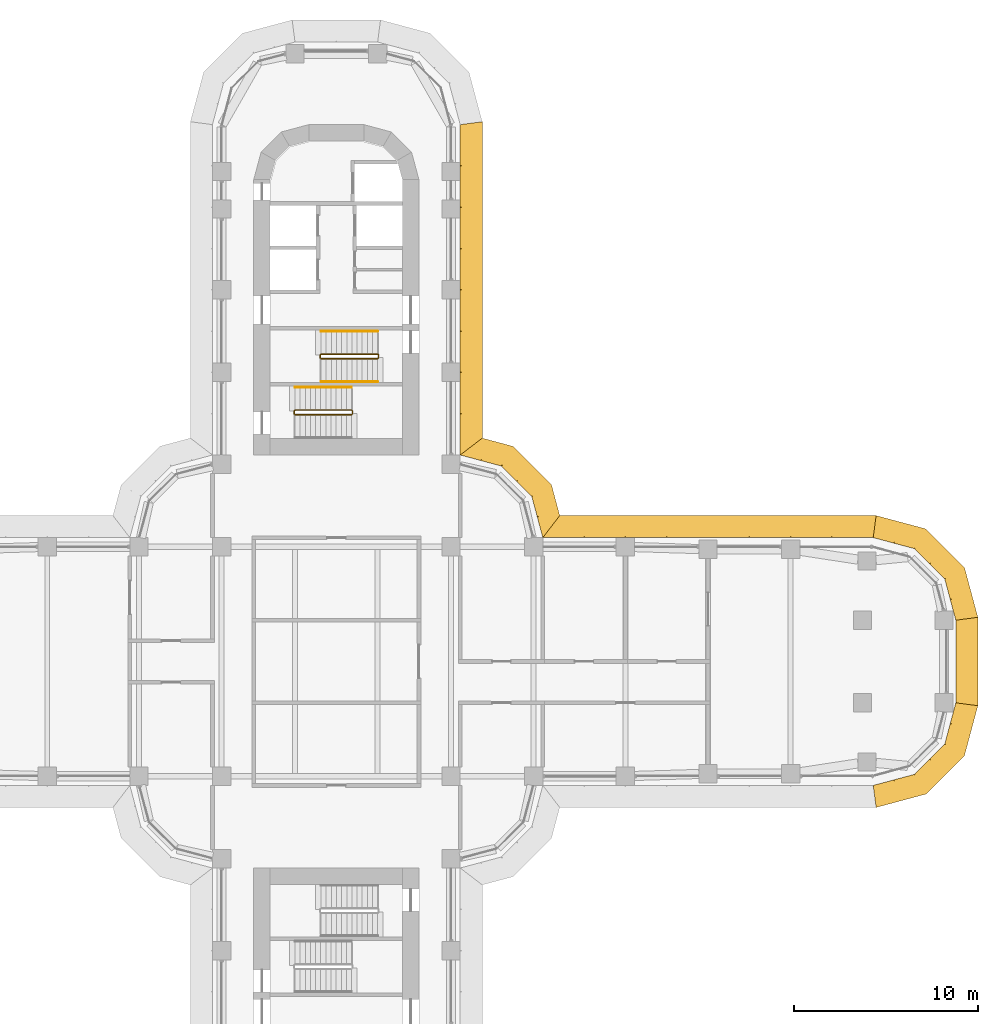
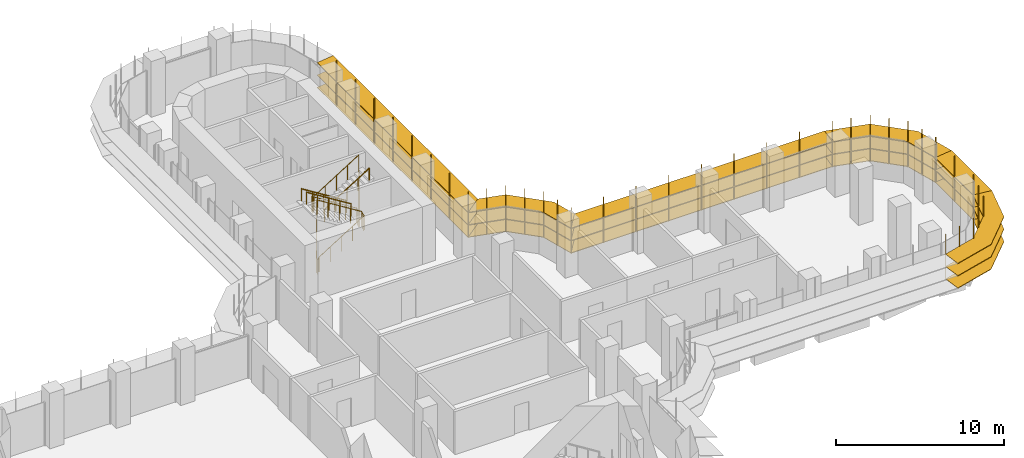
# One storey, part 22 of 23: 6 shading devices, 5 railings.
"""IFC4 building model written with IfcOpenShell, lengths in metres."""

from ifc_helpers import new_model, si_unit, direction, frame, origin, origin_2d, place, context, subcontext, project, spatial, polyline, circle, outline, extrude, faceted_brep, source, transform, mapped, material, type_object, element, save


model = new_model("IFC4")

# Units and contexts
model_context = context("Model", 3, precision=1e-05, world=origin(), true_north=direction((0.0, 1.0)))
body_context = subcontext(model_context, "Body", "Model", "MODEL_VIEW")
ifc_project = project(units=[si_unit("LENGTHUNIT", "METRE"), si_unit("AREAUNIT", "SQUARE_METRE"), si_unit("VOLUMEUNIT", "CUBIC_METRE"), si_unit("PLANEANGLEUNIT", "RADIAN"), si_unit("MASSUNIT", "GRAM", prefix="KILO")], contexts=[model_context])

# Site, building, storey
site_placement = place(None, origin())
site = spatial("IfcSite", under=ifc_project, at=site_placement, CompositionType="ELEMENT")
building_placement = place(site_placement, origin())
building = spatial("IfcBuilding", under=site, at=building_placement, Name="Zarbagh Exchange Tower", CompositionType="ELEMENT")
storey_placement = place(building_placement, frame((0.0, 0.0, 69.0)))
storey = spatial("IfcBuildingStorey", under=building, at=storey_placement, Name="L15", CompositionType="ELEMENT", Elevation=69.0)

# Railings
ifc_material_1 = material(Name="Stainless steel", Category="steel")
railing_type_1 = type_object("IfcRailingType", Name="Stair guard 1100 mm", PredefinedType="GUARDRAIL", material=ifc_material_1)
railing_1_placement = place(storey_placement, frame((-0.830078125, 16.5, 2.27490234375)))
element("IfcRailing", 1, at=railing_1_placement, inside=storey, type_object=railing_type_1, Name="ST1 stair guard 1", PredefinedType="GUARDRAIL", context=body_context, shape_type="SweptSolid", body=[
    extrude(circle(Radius=0.02392578125, at=origin_2d()), frame((0.0, 0.0, 1.076171875), z_axis=(0.847998304005, 0.0, 0.529998940003), x_axis=(0.0, 1.0, 0.0)), (0.0, 0.0, 1.0), 3.632080078125),
    extrude(circle(Radius=0.02392578125, at=origin_2d()), frame((3.080078125, 0.0, 3.0009765625), z_axis=(0.011914834358, 0.011914834358, -0.999858026644), x_axis=(-0.707106781187, 0.707106781187, 0.0)), (0.0, 0.0, 1.0), 4.200439453125),
    extrude(circle(Radius=0.02392578125, at=origin_2d()), frame((3.130126953125, 0.050048828125, -1.19873046875), z_axis=(0.0, 1.0, 0.0), x_axis=(-1.0, 0.0, 0.0)), (0.0, 0.0, 1.0), 0.14990234375),
    extrude(circle(Radius=0.02392578125, at=origin_2d()), frame((3.130126953125, 0.199951171875, -1.19873046875), z_axis=(-0.265065253269, 0.265065253269, 0.927081885822), x_axis=(-0.707106781187, -0.707106781187, 0.0)), (0.0, 0.0, 1.0), 0.188720703125),
    extrude(circle(Radius=0.02392578125, at=origin_2d()), frame((3.080078125, 0.25, -1.02392578125), z_axis=(-0.847998304005, 0.0, 0.529998940003), x_axis=(0.0, -1.0, 0.0)), (0.0, 0.0, 1.0), 3.632080078125),
    extrude(circle(Radius=0.02392578125, at=origin_2d()), frame((0.0, 0.25, 0.9013671875), z_axis=(-0.705375805398, -0.708833529934, 0.0), x_axis=(0.708833529934, -0.705375805398, 0.0)), (0.0, 0.0, 1.0), 0.070556640625),
    extrude(circle(Radius=0.02392578125, at=origin_2d()), frame((-0.0498046875, 0.199951171875, 0.9013671875), z_axis=(0.0, -1.0, 0.0), x_axis=(1.0, 0.0, 0.0)), (0.0, 0.0, 1.0), 0.14990234375),
    extrude(circle(Radius=0.02099609375, at=origin_2d()), origin(), (0.0, 0.0, 1.0), 1.052001953125),
    extrude(circle(Radius=0.02099609375, at=origin_2d()), frame((0.77001953125, 0.0, 0.481201171875)), (0.0, 0.0, 1.0), 1.052001953125),
    extrude(circle(Radius=0.02099609375, at=origin_2d()), frame((1.5400390625, 0.0, 0.96240234375)), (0.0, 0.0, 1.0), 1.052001953125),
    extrude(circle(Radius=0.02099609375, at=origin_2d()), frame((2.31005859375, 0.0, 1.44384765625)), (0.0, 0.0, 1.0), 1.052001953125),
    extrude(circle(Radius=0.02099609375, at=origin_2d()), frame((3.080078125, 0.0, 1.925048828125)), (0.0, 0.0, 1.0), 1.052001953125),
    extrude(circle(Radius=0.02099609375, at=origin_2d()), frame((3.092529296875, 0.012451171875, 0.875)), (0.0, 0.0, 1.0), 1.052001953125),
    extrude(circle(Radius=0.02099609375, at=origin_2d()), frame((3.10498046875, 0.02490234375, -0.1748046875)), (0.0, 0.0, 1.0), 1.052001953125),
    extrude(circle(Radius=0.02099609375, at=origin_2d()), frame((3.11767578125, 0.03759765625, -1.224853515625)), (0.0, 0.0, 1.0), 1.052001953125),
    extrude(circle(Radius=0.02099609375, at=origin_2d()), frame((3.130126953125, 0.050048828125, -2.27490234375)), (0.0, 0.0, 1.0), 1.052001953125),
    extrude(circle(Radius=0.02099609375, at=origin_2d()), frame((3.130126953125, 0.199951171875, -2.27490234375)), (0.0, 0.0, 1.0), 1.052001953125),
    extrude(circle(Radius=0.02099609375, at=origin_2d()), frame((3.080078125, 0.25, -2.099853515625)), (0.0, 0.0, 1.0), 1.052001953125),
    extrude(circle(Radius=0.02099609375, at=origin_2d()), frame((2.31005859375, 0.25, -1.61865234375)), (0.0, 0.0, 1.0), 1.052001953125),
    extrude(circle(Radius=0.02099609375, at=origin_2d()), frame((1.5400390625, 0.25, -1.13720703125)), (0.0, 0.0, 1.0), 1.052001953125),
    extrude(circle(Radius=0.02099609375, at=origin_2d()), frame((0.77001953125, 0.25, -0.656005859375)), (0.0, 0.0, 1.0), 1.052001953125),
    extrude(circle(Radius=0.02099609375, at=origin_2d()), frame((0.0, 0.25, -0.1748046875)), (0.0, 0.0, 1.0), 1.052001953125),
    extrude(circle(Radius=0.02099609375, at=origin_2d()), frame((-0.0498046875, 0.199951171875, -0.1748046875)), (0.0, 0.0, 1.0), 1.052001953125),
    extrude(circle(Radius=0.02099609375, at=origin_2d()), frame((-0.0498046875, 0.050048828125, -0.1748046875)), (0.0, 0.0, 1.0), 1.052001953125),
])
railing_2_placement = place(storey_placement, frame((0.8798828125, 13.5, 2.10009765625)))
element("IfcRailing", 2, at=railing_2_placement, inside=storey, type_object=railing_type_1, Name="ST2 stair guard 1", PredefinedType="GUARDRAIL", context=body_context, shape_type="SweptSolid", body=[
    extrude(circle(Radius=0.02392578125, at=origin_2d()), frame((0.0, 0.0, 1.076171875), z_axis=(0.0, 1.0, 0.0), x_axis=(-1.0, 0.0, 0.0)), (0.0, 0.0, 1.0), 0.14990234375),
    extrude(circle(Radius=0.02392578125, at=origin_2d()), frame((0.0, 0.14990234375, 1.076171875), z_axis=(-0.264179342666, 0.265474339444, 0.927217692888), x_axis=(-0.708833529934, -0.705375805398, 0.0)), (0.0, 0.0, 1.0), 0.1884765625),
    extrude(circle(Radius=0.02392578125, at=origin_2d()), frame((-0.0498046875, 0.199951171875, 1.2509765625), z_axis=(-0.847998304005, 0.0, 0.529998940003), x_axis=(0.0, -1.0, 0.0)), (0.0, 0.0, 1.0), 3.632080078125),
    extrude(circle(Radius=0.02392578125, at=origin_2d()), frame((-3.1298828125, 0.199951171875, 3.17578125), z_axis=(-0.011914834358, -0.011914834358, -0.999858026644), x_axis=(0.707106781187, -0.707106781187, 0.0)), (0.0, 0.0, 1.0), 4.200439453125),
    extrude(circle(Radius=0.02392578125, at=origin_2d()), frame((-3.179931640625, 0.14990234375, -1.02392578125), z_axis=(0.0, -1.0, 0.0), x_axis=(1.0, 0.0, 0.0)), (0.0, 0.0, 1.0), 0.14990234375),
    extrude(circle(Radius=0.02392578125, at=origin_2d()), frame((-3.179931640625, 0.0, -1.02392578125), z_axis=(0.265065253269, -0.265065253269, 0.927081885822), x_axis=(0.707106781187, 0.707106781187, 0.0)), (0.0, 0.0, 1.0), 0.188720703125),
    extrude(circle(Radius=0.02392578125, at=origin_2d()), frame((-3.1298828125, -0.050048828125, -0.84912109375), z_axis=(0.847998304005, 0.0, 0.529998940003), x_axis=(0.0, 1.0, 0.0)), (0.0, 0.0, 1.0), 3.632080078125),
    extrude(circle(Radius=0.02099609375, at=origin_2d()), origin(), (0.0, 0.0, 1.0), 1.052001953125),
    extrude(circle(Radius=0.02099609375, at=origin_2d()), frame((0.0, 0.14990234375, 0.0)), (0.0, 0.0, 1.0), 1.052001953125),
    extrude(circle(Radius=0.02099609375, at=origin_2d()), frame((-0.0498046875, 0.199951171875, 0.1748046875)), (0.0, 0.0, 1.0), 1.052001953125),
    extrude(circle(Radius=0.02099609375, at=origin_2d()), frame((-0.81982421875, 0.199951171875, 0.656005859375)), (0.0, 0.0, 1.0), 1.052001953125),
    extrude(circle(Radius=0.02099609375, at=origin_2d()), frame((-1.58984375, 0.199951171875, 1.13720703125)), (0.0, 0.0, 1.0), 1.052001953125),
    extrude(circle(Radius=0.02099609375, at=origin_2d()), frame((-2.35986328125, 0.199951171875, 1.61865234375)), (0.0, 0.0, 1.0), 1.052001953125),
    extrude(circle(Radius=0.02099609375, at=origin_2d()), frame((-3.1298828125, 0.199951171875, 2.099853515625)), (0.0, 0.0, 1.0), 1.052001953125),
    extrude(circle(Radius=0.02099609375, at=origin_2d()), frame((-3.142333984375, 0.1875, 1.0498046875)), (0.0, 0.0, 1.0), 1.052001953125),
    extrude(circle(Radius=0.02099609375, at=origin_2d()), frame((-3.15478515625, 0.1748046875, 0.0)), (0.0, 0.0, 1.0), 1.052001953125),
    extrude(circle(Radius=0.02099609375, at=origin_2d()), frame((-3.16748046875, 0.162353515625, -1.050048828125)), (0.0, 0.0, 1.0), 1.052001953125),
    extrude(circle(Radius=0.02099609375, at=origin_2d()), frame((-3.179931640625, 0.14990234375, -2.10009765625)), (0.0, 0.0, 1.0), 1.052001953125),
    extrude(circle(Radius=0.02099609375, at=origin_2d()), frame((-3.179931640625, 0.0, -2.10009765625)), (0.0, 0.0, 1.0), 1.052001953125),
    extrude(circle(Radius=0.02099609375, at=origin_2d()), frame((-3.1298828125, -0.050048828125, -1.925048828125)), (0.0, 0.0, 1.0), 1.052001953125),
    extrude(circle(Radius=0.02099609375, at=origin_2d()), frame((-2.35986328125, -0.050048828125, -1.44384765625)), (0.0, 0.0, 1.0), 1.052001953125),
    extrude(circle(Radius=0.02099609375, at=origin_2d()), frame((-1.58984375, -0.050048828125, -0.96240234375)), (0.0, 0.0, 1.0), 1.052001953125),
    extrude(circle(Radius=0.02099609375, at=origin_2d()), frame((-0.81982421875, -0.050048828125, -0.481201171875)), (0.0, 0.0, 1.0), 1.052001953125),
    extrude(circle(Radius=0.02099609375, at=origin_2d()), frame((-0.0498046875, -0.050048828125, 0.0)), (0.0, 0.0, 1.0), 1.052001953125),
])
railing_type_2 = type_object("IfcRailingType", Name="Stair handrail 900 mm", PredefinedType="HANDRAIL", material=ifc_material_1)
railing_3_placement = place(storey_placement, frame((2.25, 18.0, 0.175048828125)))
element("IfcRailing", 3, at=railing_3_placement, inside=storey, type_object=railing_type_2, Name="ST1 stair handrail 1", PredefinedType="HANDRAIL", context=body_context, shape_type="SweptSolid", body=[
    extrude(circle(Radius=0.02392578125, at=origin_2d()), frame((0.0, 0.0, 0.8759765625), z_axis=(-0.847998304005, 0.0, 0.529998940003), x_axis=(0.0, -1.0, 0.0)), (0.0, 0.0, 1.0), 3.632080078125),
    extrude(circle(Radius=0.02099609375, at=origin_2d()), origin(), (0.0, 0.0, 1.0), 0.851806640625),
    extrude(circle(Radius=0.02099609375, at=origin_2d()), frame((-0.77001953125, 0.0, 0.481201171875)), (0.0, 0.0, 1.0), 0.851806640625),
    extrude(circle(Radius=0.02099609375, at=origin_2d()), frame((-1.5400390625, 0.0, 0.96240234375)), (0.0, 0.0, 1.0), 0.851806640625),
    extrude(circle(Radius=0.02099609375, at=origin_2d()), frame((-2.31005859375, 0.0, 1.44384765625)), (0.0, 0.0, 1.0), 0.851806640625),
    extrude(circle(Radius=0.02099609375, at=origin_2d()), frame((-3.080078125, 0.0, 1.925048828125)), (0.0, 0.0, 1.0), 0.851806640625),
])
railing_4_placement = place(storey_placement, frame((-0.830078125, 15.25, 2.27490234375)))
element("IfcRailing", 4, at=railing_4_placement, inside=storey, type_object=railing_type_2, Name="ST1 stair handrail 2", PredefinedType="HANDRAIL", context=body_context, shape_type="SweptSolid", body=[
    extrude(circle(Radius=0.02392578125, at=origin_2d()), frame((0.0, 0.0, 0.8759765625), z_axis=(0.847998304005, 0.0, 0.529998940003), x_axis=(0.0, 1.0, 0.0)), (0.0, 0.0, 1.0), 3.632080078125),
    extrude(circle(Radius=0.02099609375, at=origin_2d()), origin(), (0.0, 0.0, 1.0), 0.851806640625),
    extrude(circle(Radius=0.02099609375, at=origin_2d()), frame((0.77001953125, 0.0, 0.481201171875)), (0.0, 0.0, 1.0), 0.851806640625),
    extrude(circle(Radius=0.02099609375, at=origin_2d()), frame((1.5400390625, 0.0, 0.96240234375)), (0.0, 0.0, 1.0), 0.851806640625),
    extrude(circle(Radius=0.02099609375, at=origin_2d()), frame((2.31005859375, 0.0, 1.44384765625)), (0.0, 0.0, 1.0), 0.851806640625),
    extrude(circle(Radius=0.02099609375, at=origin_2d()), frame((3.080078125, 0.0, 1.925048828125)), (0.0, 0.0, 1.0), 0.851806640625),
])
railing_5_placement = place(storey_placement, frame((0.830078125, 14.949951171875, 2.27490234375)))
element("IfcRailing", 5, at=railing_5_placement, inside=storey, type_object=railing_type_2, Name="ST2 stair handrail 2", PredefinedType="HANDRAIL", context=body_context, shape_type="SweptSolid", body=[
    extrude(circle(Radius=0.02392578125, at=origin_2d()), frame((0.0, 0.0, 0.8759765625), z_axis=(-0.847998304005, 0.0, 0.529998940003), x_axis=(0.0, -1.0, 0.0)), (0.0, 0.0, 1.0), 3.632080078125),
    extrude(circle(Radius=0.02099609375, at=origin_2d()), origin(), (0.0, 0.0, 1.0), 0.851806640625),
    extrude(circle(Radius=0.02099609375, at=origin_2d()), frame((-0.77001953125, 0.0, 0.481201171875)), (0.0, 0.0, 1.0), 0.851806640625),
    extrude(circle(Radius=0.02099609375, at=origin_2d()), frame((-1.5400390625, 0.0, 0.96240234375)), (0.0, 0.0, 1.0), 0.851806640625),
    extrude(circle(Radius=0.02099609375, at=origin_2d()), frame((-2.31005859375, 0.0, 1.44384765625)), (0.0, 0.0, 1.0), 0.851806640625),
    extrude(circle(Radius=0.02099609375, at=origin_2d()), frame((-3.080078125, 0.0, 1.925048828125)), (0.0, 0.0, 1.0), 0.851806640625),
])

# Shading devices
ifc_material_2 = material(Name="Anodised aluminium blades and brackets", Category="aluminium")
shading_device_type = type_object("IfcShadingDeviceType", Name="SUNSHADE louvre band, 0 degree blades", PredefinedType="JALOUSIE", material=ifc_material_2)
shared_shape_1 = source(origin(), body_context, "Body", "Brep", [
    faceted_brep([(0.0, 0.0, 0.0), (0.0, 0.0, -0.0400390625), (-0.157958984375, -1.199951171875, -0.0400390625), (-0.157958984375, -1.199951171875, 0.0), (2.65087890625, -1.199951171875, 0.0), (2.65087890625, -1.199951171875, -0.0400390625), (2.329345703125, 0.0, -0.0400390625), (2.329345703125, 0.0, 0.0)], [[[0, 1, 2, 3]], [[4, 5, 6, 7]], [[0, 7, 6, 1]], [[1, 6, 5, 2]], [[2, 5, 4, 3]], [[3, 4, 7, 0]]]),
])
shared_shape_2 = source(origin(), body_context, "Body", "Brep", [
    faceted_brep([(0.0, 0.0, 0.0), (0.0, 0.0, -0.0400390625), (-0.321533203125, -1.199951171875, -0.0400390625), (-0.321533203125, -1.199951171875, 0.0), (2.65087890625, -1.199951171875, 0.0), (2.65087890625, -1.199951171875, -0.0400390625), (2.329345703125, 0.0, -0.0400390625), (2.329345703125, 0.0, 0.0)], [[[0, 1, 2, 3]], [[4, 5, 6, 7]], [[0, 7, 6, 1]], [[1, 6, 5, 2]], [[2, 5, 4, 3]], [[3, 4, 7, 0]]]),
])
shared_shape_3 = source(origin(), body_context, "Body", "Brep", [
    faceted_brep([(0.0, 0.0, 0.0), (0.0, 0.0, -0.0400390625), (-0.321533203125, -1.199951171875, -0.0400390625), (-0.321533203125, -1.199951171875, 0.0), (2.4873046875, -1.199951171875, 0.0), (2.4873046875, -1.199951171875, -0.0400390625), (2.329345703125, 0.0, -0.0400390625), (2.329345703125, 0.0, 0.0)], [[[0, 1, 2, 3]], [[4, 5, 6, 7]], [[0, 7, 6, 1]], [[1, 6, 5, 2]], [[2, 5, 4, 3]], [[3, 4, 7, 0]]]),
])
shared_shape_4 = source(origin(), body_context, "Body", "SweptSolid", [
    extrude(outline(polyline([(0.0, -0.012451171875), (0.06005859375, -0.012451171875), (0.06005859375, 0.012451171875), (0.0, 0.012451171875), (0.0, -0.012451171875)])), origin(), (0.0, 0.0, 1.0), 3.35009765625),
])
placement = place(storey_placement, origin())
element("IfcShadingDevice", 6, at=placement, inside=storey, type_object=shading_device_type, Name="SS05 sunshade band", PredefinedType="JALOUSIE", context=body_context, shape_type="MappedRepresentation", body=[
    mapped(shared_shape_1, transform((29.25, -6.75, 2.699951171875), x_axis=(0.965924289636, 0.258824779902, 0.0), y_axis=(-0.258824779902, 0.965924289636, 0.0), z_axis=(0.0, 0.0, 1.0))),
    mapped(shared_shape_1, transform((29.25, -6.75, 1.800048828125), x_axis=(0.965924289636, 0.258824779902, 0.0), y_axis=(-0.258824779902, 0.965924289636, 0.0), z_axis=(0.0, 0.0, 1.0))),
    mapped(shared_shape_1, transform((29.25, -6.75, 0.89990234375), x_axis=(0.965924289636, 0.258824779902, 0.0), y_axis=(-0.258824779902, 0.965924289636, 0.0), z_axis=(0.0, 0.0, 1.0))),
    mapped(shared_shape_2, transform((31.5, -6.147216796875, 2.699951171875), x_axis=(0.707106781187, 0.707106781187, 0.0), y_axis=(-0.707106781187, 0.707106781187, 0.0), z_axis=(0.0, 0.0, 1.0))),
    mapped(shared_shape_2, transform((31.5, -6.147216796875, 1.800048828125), x_axis=(0.707106781187, 0.707106781187, 0.0), y_axis=(-0.707106781187, 0.707106781187, 0.0), z_axis=(0.0, 0.0, 1.0))),
    mapped(shared_shape_2, transform((31.5, -6.147216796875, 0.89990234375), x_axis=(0.707106781187, 0.707106781187, 0.0), y_axis=(-0.707106781187, 0.707106781187, 0.0), z_axis=(0.0, 0.0, 1.0))),
    mapped(shared_shape_3, transform((33.147216796875, -4.5, 2.699951171875), x_axis=(0.258824779902, 0.965924289636, 0.0), y_axis=(-0.965924289636, 0.258824779902, 0.0), z_axis=(0.0, 0.0, 1.0))),
    mapped(shared_shape_3, transform((33.147216796875, -4.5, 1.800048828125), x_axis=(0.258824779902, 0.965924289636, 0.0), y_axis=(-0.965924289636, 0.258824779902, 0.0), z_axis=(0.0, 0.0, 1.0))),
    mapped(shared_shape_3, transform((33.147216796875, -4.5, 0.89990234375), x_axis=(0.258824779902, 0.965924289636, 0.0), y_axis=(-0.965924289636, 0.258824779902, 0.0), z_axis=(0.0, 0.0, 1.0))),
    mapped(shared_shape_4, transform((29.25, -6.75, 0.830078125), x_axis=(0.130529263012, -0.991444457092, 0.0), y_axis=(0.991444457092, 0.130529263012, 0.0), z_axis=(0.0, 0.0, 1.0))),
    mapped(shared_shape_4, transform((30.375, -6.448486328125, 0.830078125), x_axis=(0.258825058029, -0.96592421511, 0.0), y_axis=(0.96592421511, 0.258825058029, 0.0), z_axis=(0.0, 0.0, 1.0))),
    mapped(shared_shape_4, transform((31.5, -6.147216796875, 0.830078125), x_axis=(0.50000275701, -0.866023812018, 0.0), y_axis=(0.866023812018, 0.50000275701, 0.0), z_axis=(0.0, 0.0, 1.0))),
    mapped(shared_shape_4, transform((32.323486328125, -5.323486328125, 0.830078125), x_axis=(0.707106781187, -0.707106781187, 0.0), y_axis=(0.707106781187, 0.707106781187, 0.0), z_axis=(0.0, 0.0, 1.0))),
    mapped(shared_shape_4, transform((33.147216796875, -4.5, 0.830078125), x_axis=(0.866023812018, -0.50000275701, 0.0), y_axis=(0.50000275701, 0.866023812018, 0.0), z_axis=(0.0, 0.0, 1.0))),
    mapped(shared_shape_4, transform((33.448486328125, -3.375, 0.830078125), x_axis=(0.96592421511, -0.258825058029, 0.0), y_axis=(0.258825058029, 0.96592421511, 0.0), z_axis=(0.0, 0.0, 1.0))),
])
element("IfcShadingDevice", 7, at=placement, inside=storey, type_object=shading_device_type, Name="SS07 sunshade band", PredefinedType="JALOUSIE", context=body_context, shape_type="MappedRepresentation", body=[
    mapped(shared_shape_1, transform((33.75, 2.25, 2.699951171875), x_axis=(-0.258824779902, 0.965924289636, 0.0), y_axis=(-0.965924289636, -0.258824779902, 0.0), z_axis=(0.0, 0.0, 1.0))),
    mapped(shared_shape_1, transform((33.75, 2.25, 1.800048828125), x_axis=(-0.258824779902, 0.965924289636, 0.0), y_axis=(-0.965924289636, -0.258824779902, 0.0), z_axis=(0.0, 0.0, 1.0))),
    mapped(shared_shape_1, transform((33.75, 2.25, 0.89990234375), x_axis=(-0.258824779902, 0.965924289636, 0.0), y_axis=(-0.965924289636, -0.258824779902, 0.0), z_axis=(0.0, 0.0, 1.0))),
    mapped(shared_shape_2, transform((33.147216796875, 4.5, 2.699951171875), x_axis=(-0.707106781187, 0.707106781187, 0.0), y_axis=(-0.707106781187, -0.707106781187, 0.0), z_axis=(0.0, 0.0, 1.0))),
    mapped(shared_shape_2, transform((33.147216796875, 4.5, 1.800048828125), x_axis=(-0.707106781187, 0.707106781187, 0.0), y_axis=(-0.707106781187, -0.707106781187, 0.0), z_axis=(0.0, 0.0, 1.0))),
    mapped(shared_shape_2, transform((33.147216796875, 4.5, 0.89990234375), x_axis=(-0.707106781187, 0.707106781187, 0.0), y_axis=(-0.707106781187, -0.707106781187, 0.0), z_axis=(0.0, 0.0, 1.0))),
    mapped(shared_shape_3, transform((31.5, 6.147216796875, 2.699951171875), x_axis=(-0.965924289636, 0.258824779902, 0.0), y_axis=(-0.258824779902, -0.965924289636, 0.0), z_axis=(0.0, 0.0, 1.0))),
    mapped(shared_shape_3, transform((31.5, 6.147216796875, 1.800048828125), x_axis=(-0.965924289636, 0.258824779902, 0.0), y_axis=(-0.258824779902, -0.965924289636, 0.0), z_axis=(0.0, 0.0, 1.0))),
    mapped(shared_shape_3, transform((31.5, 6.147216796875, 0.89990234375), x_axis=(-0.965924289636, 0.258824779902, 0.0), y_axis=(-0.258824779902, -0.965924289636, 0.0), z_axis=(0.0, 0.0, 1.0))),
    mapped(shared_shape_4, transform((33.75, 2.25, 0.830078125), x_axis=(0.991444457092, 0.130529263012, 0.0), y_axis=(-0.130529263012, 0.991444457092, 0.0), z_axis=(0.0, 0.0, 1.0))),
    mapped(shared_shape_4, transform((33.448486328125, 3.375, 0.830078125), x_axis=(0.96592421511, 0.258825058029, 0.0), y_axis=(-0.258825058029, 0.96592421511, 0.0), z_axis=(0.0, 0.0, 1.0))),
    mapped(shared_shape_4, transform((33.147216796875, 4.5, 0.830078125), x_axis=(0.866023812018, 0.50000275701, 0.0), y_axis=(-0.50000275701, 0.866023812018, 0.0), z_axis=(0.0, 0.0, 1.0))),
    mapped(shared_shape_4, transform((32.323486328125, 5.323486328125, 0.830078125), x_axis=(0.707106781187, 0.707106781187, 0.0), y_axis=(-0.707106781187, 0.707106781187, 0.0), z_axis=(0.0, 0.0, 1.0))),
    mapped(shared_shape_4, transform((31.5, 6.147216796875, 0.830078125), x_axis=(0.50000275701, 0.866023812018, 0.0), y_axis=(-0.866023812018, 0.50000275701, 0.0), z_axis=(0.0, 0.0, 1.0))),
    mapped(shared_shape_4, transform((30.375, 6.448486328125, 0.830078125), x_axis=(0.258825058029, 0.96592421511, 0.0), y_axis=(-0.96592421511, 0.258825058029, 0.0), z_axis=(0.0, 0.0, 1.0))),
])
shared_shape_5 = source(origin(), body_context, "Body", "Brep", [
    faceted_brep([(0.0, 0.0, 0.0), (0.0, 0.0, -0.0400390625), (0.9208984375, -1.199951171875, -0.0400390625), (0.9208984375, -1.199951171875, 0.0), (2.65087890625, -1.199951171875, 0.0), (2.65087890625, -1.199951171875, -0.0400390625), (2.329345703125, 0.0, -0.0400390625), (2.329345703125, 0.0, 0.0)], [[[0, 1, 2, 3]], [[4, 5, 6, 7]], [[0, 7, 6, 1]], [[1, 6, 5, 2]], [[2, 5, 4, 3]], [[3, 4, 7, 0]]]),
])
shared_shape_6 = source(origin(), body_context, "Body", "Brep", [
    faceted_brep([(0.0, 0.0, 0.0), (0.0, 0.0, -0.0400390625), (-0.321533203125, -1.199951171875, -0.0400390625), (-0.321533203125, -1.199951171875, 0.0), (1.40869140625, -1.199951171875, 0.0), (1.40869140625, -1.199951171875, -0.0400390625), (2.329345703125, 0.0, -0.0400390625), (2.329345703125, 0.0, 0.0)], [[[0, 1, 2, 3]], [[4, 5, 6, 7]], [[0, 7, 6, 1]], [[1, 6, 5, 2]], [[2, 5, 4, 3]], [[3, 4, 7, 0]]]),
])
element("IfcShadingDevice", 8, at=placement, inside=storey, type_object=shading_device_type, Name="SS09 sunshade band", PredefinedType="JALOUSIE", context=body_context, shape_type="MappedRepresentation", body=[
    mapped(shared_shape_5, transform((11.25, 6.75, 2.699951171875), x_axis=(-0.258824779902, 0.965924289636, 0.0), y_axis=(-0.965924289636, -0.258824779902, 0.0), z_axis=(0.0, 0.0, 1.0))),
    mapped(shared_shape_5, transform((11.25, 6.75, 1.800048828125), x_axis=(-0.258824779902, 0.965924289636, 0.0), y_axis=(-0.965924289636, -0.258824779902, 0.0), z_axis=(0.0, 0.0, 1.0))),
    mapped(shared_shape_5, transform((11.25, 6.75, 0.89990234375), x_axis=(-0.258824779902, 0.965924289636, 0.0), y_axis=(-0.965924289636, -0.258824779902, 0.0), z_axis=(0.0, 0.0, 1.0))),
    mapped(shared_shape_2, transform((10.647216796875, 9.0, 2.699951171875), x_axis=(-0.707106781187, 0.707106781187, 0.0), y_axis=(-0.707106781187, -0.707106781187, 0.0), z_axis=(0.0, 0.0, 1.0))),
    mapped(shared_shape_2, transform((10.647216796875, 9.0, 1.800048828125), x_axis=(-0.707106781187, 0.707106781187, 0.0), y_axis=(-0.707106781187, -0.707106781187, 0.0), z_axis=(0.0, 0.0, 1.0))),
    mapped(shared_shape_2, transform((10.647216796875, 9.0, 0.89990234375), x_axis=(-0.707106781187, 0.707106781187, 0.0), y_axis=(-0.707106781187, -0.707106781187, 0.0), z_axis=(0.0, 0.0, 1.0))),
    mapped(shared_shape_6, transform((9.0, 10.647216796875, 2.699951171875), x_axis=(-0.965924289636, 0.258824779902, 0.0), y_axis=(-0.258824779902, -0.965924289636, 0.0), z_axis=(0.0, 0.0, 1.0))),
    mapped(shared_shape_6, transform((9.0, 10.647216796875, 1.800048828125), x_axis=(-0.965924289636, 0.258824779902, 0.0), y_axis=(-0.258824779902, -0.965924289636, 0.0), z_axis=(0.0, 0.0, 1.0))),
    mapped(shared_shape_6, transform((9.0, 10.647216796875, 0.89990234375), x_axis=(-0.965924289636, 0.258824779902, 0.0), y_axis=(-0.258824779902, -0.965924289636, 0.0), z_axis=(0.0, 0.0, 1.0))),
    mapped(shared_shape_4, transform((11.25, 6.75, 0.830078125), x_axis=(0.608758892, 0.793355287, 0.0), y_axis=(-0.793355287, 0.608758892, 0.0), z_axis=(0.0, 0.0, 1.0))),
    mapped(shared_shape_4, transform((10.948486328125, 7.875, 0.830078125), x_axis=(0.96592421511, 0.258825058029, 0.0), y_axis=(-0.258825058029, 0.96592421511, 0.0), z_axis=(0.0, 0.0, 1.0))),
    mapped(shared_shape_4, transform((10.647216796875, 9.0, 0.830078125), x_axis=(0.866023812018, 0.50000275701, 0.0), y_axis=(-0.50000275701, 0.866023812018, 0.0), z_axis=(0.0, 0.0, 1.0))),
    mapped(shared_shape_4, transform((9.823486328125, 9.823486328125, 0.830078125), x_axis=(0.707106781187, 0.707106781187, 0.0), y_axis=(-0.707106781187, 0.707106781187, 0.0), z_axis=(0.0, 0.0, 1.0))),
    mapped(shared_shape_4, transform((9.0, 10.647216796875, 0.830078125), x_axis=(0.50000275701, 0.866023812018, 0.0), y_axis=(-0.866023812018, 0.50000275701, 0.0), z_axis=(0.0, 0.0, 1.0))),
    mapped(shared_shape_4, transform((7.875, 10.948486328125, 0.830078125), x_axis=(0.258825058029, 0.96592421511, 0.0), y_axis=(-0.96592421511, 0.258825058029, 0.0), z_axis=(0.0, 0.0, 1.0))),
])
shared_shape_7 = source(origin(), body_context, "Body", "Brep", [
    faceted_brep([(0.0, 0.0, 0.0), (0.0, 0.0, -0.0400390625), (-0.157958984375, -1.199951171875, -0.0400390625), (-0.157958984375, -1.199951171875, 0.0), (4.657958984375, -1.199951171875, 0.0), (4.657958984375, -1.199951171875, -0.0400390625), (4.5, 0.0, -0.0400390625), (4.5, 0.0, 0.0)], [[[0, 1, 2, 3]], [[4, 5, 6, 7]], [[0, 7, 6, 1]], [[1, 6, 5, 2]], [[2, 5, 4, 3]], [[3, 4, 7, 0]]]),
])
element("IfcShadingDevice", 9, at=placement, inside=storey, type_object=shading_device_type, Name="SS06 sunshade band", PredefinedType="JALOUSIE", context=body_context, shape_type="MappedRepresentation", body=[
    mapped(shared_shape_7, transform((33.75, -2.25, 2.699951171875), x_axis=(0.0, 1.0, 0.0), y_axis=(-1.0, 0.0, 0.0), z_axis=(0.0, 0.0, 1.0))),
    mapped(shared_shape_7, transform((33.75, -2.25, 1.800048828125), x_axis=(0.0, 1.0, 0.0), y_axis=(-1.0, 0.0, 0.0), z_axis=(0.0, 0.0, 1.0))),
    mapped(shared_shape_7, transform((33.75, -2.25, 0.89990234375), x_axis=(0.0, 1.0, 0.0), y_axis=(-1.0, 0.0, 0.0), z_axis=(0.0, 0.0, 1.0))),
    mapped(shared_shape_4, transform((33.75, -2.25, 0.830078125), x_axis=(0.991444457092, -0.130529263012, 0.0), y_axis=(0.130529263012, 0.991444457092, 0.0), z_axis=(0.0, 0.0, 1.0))),
    mapped(shared_shape_4, transform((33.75, 0.0, 0.830078125), x_axis=(1.0, 0.0, 0.0), y_axis=(0.0, 1.0, 0.0), z_axis=(0.0, 0.0, 1.0))),
])
shared_shape_8 = source(origin(), body_context, "Body", "Brep", [
    faceted_brep([(0.0, 0.0, 0.0), (0.0, 0.0, -0.0400390625), (-0.157958984375, -1.199951171875, -0.0400390625), (-0.157958984375, -1.199951171875, 0.0), (17.0791015625, -1.199951171875, 0.0), (17.0791015625, -1.199951171875, -0.0400390625), (18.0, 0.0, -0.0400390625), (18.0, 0.0, 0.0)], [[[0, 1, 2, 3]], [[4, 5, 6, 7]], [[0, 7, 6, 1]], [[1, 6, 5, 2]], [[2, 5, 4, 3]], [[3, 4, 7, 0]]]),
])
element("IfcShadingDevice", 10, at=placement, inside=storey, type_object=shading_device_type, Name="SS08 sunshade band", PredefinedType="JALOUSIE", context=body_context, shape_type="MappedRepresentation", body=[
    mapped(shared_shape_8, transform((29.25, 6.75, 2.699951171875), x_axis=(-1.0, 0.0, 0.0), y_axis=(0.0, -1.0, 0.0), z_axis=(0.0, 0.0, 1.0))),
    mapped(shared_shape_8, transform((29.25, 6.75, 1.800048828125), x_axis=(-1.0, 0.0, 0.0), y_axis=(0.0, -1.0, 0.0), z_axis=(0.0, 0.0, 1.0))),
    mapped(shared_shape_8, transform((29.25, 6.75, 0.89990234375), x_axis=(-1.0, 0.0, 0.0), y_axis=(0.0, -1.0, 0.0), z_axis=(0.0, 0.0, 1.0))),
    mapped(shared_shape_4, transform((29.25, 6.75, 0.830078125), x_axis=(0.130529263012, 0.991444457092, 0.0), y_axis=(-0.991444457092, 0.130529263012, 0.0), z_axis=(0.0, 0.0, 1.0))),
    mapped(shared_shape_4, transform((27.0, 6.75, 0.830078125), x_axis=(0.0, 1.0, 0.0), y_axis=(-1.0, 0.0, 0.0), z_axis=(0.0, 0.0, 1.0))),
    mapped(shared_shape_4, transform((24.75, 6.75, 0.830078125), x_axis=(0.0, 1.0, 0.0), y_axis=(-1.0, 0.0, 0.0), z_axis=(0.0, 0.0, 1.0))),
    mapped(shared_shape_4, transform((22.5, 6.75, 0.830078125), x_axis=(0.0, 1.0, 0.0), y_axis=(-1.0, 0.0, 0.0), z_axis=(0.0, 0.0, 1.0))),
    mapped(shared_shape_4, transform((20.25, 6.75, 0.830078125), x_axis=(0.0, 1.0, 0.0), y_axis=(-1.0, 0.0, 0.0), z_axis=(0.0, 0.0, 1.0))),
    mapped(shared_shape_4, transform((18.0, 6.75, 0.830078125), x_axis=(0.0, 1.0, 0.0), y_axis=(-1.0, 0.0, 0.0), z_axis=(0.0, 0.0, 1.0))),
    mapped(shared_shape_4, transform((15.75, 6.75, 0.830078125), x_axis=(0.0, 1.0, 0.0), y_axis=(-1.0, 0.0, 0.0), z_axis=(0.0, 0.0, 1.0))),
    mapped(shared_shape_4, transform((13.5, 6.75, 0.830078125), x_axis=(0.0, 1.0, 0.0), y_axis=(-1.0, 0.0, 0.0), z_axis=(0.0, 0.0, 1.0))),
])
shared_shape_9 = source(origin(), body_context, "Body", "Brep", [
    faceted_brep([(0.0, 0.0, 0.0), (0.0, 0.0, -0.0400390625), (0.9208984375, -1.199951171875, -0.0400390625), (0.9208984375, -1.199951171875, 0.0), (18.157958984375, -1.199951171875, 0.0), (18.157958984375, -1.199951171875, -0.0400390625), (18.0, 0.0, -0.0400390625), (18.0, 0.0, 0.0)], [[[0, 1, 2, 3]], [[4, 5, 6, 7]], [[0, 7, 6, 1]], [[1, 6, 5, 2]], [[2, 5, 4, 3]], [[3, 4, 7, 0]]]),
])
element("IfcShadingDevice", 11, at=placement, inside=storey, type_object=shading_device_type, Name="SS10 sunshade band", PredefinedType="JALOUSIE", context=body_context, shape_type="MappedRepresentation", body=[
    mapped(shared_shape_9, transform((6.75, 11.25, 2.699951171875), x_axis=(0.0, 1.0, 0.0), y_axis=(-1.0, 0.0, 0.0), z_axis=(0.0, 0.0, 1.0))),
    mapped(shared_shape_9, transform((6.75, 11.25, 1.800048828125), x_axis=(0.0, 1.0, 0.0), y_axis=(-1.0, 0.0, 0.0), z_axis=(0.0, 0.0, 1.0))),
    mapped(shared_shape_9, transform((6.75, 11.25, 0.89990234375), x_axis=(0.0, 1.0, 0.0), y_axis=(-1.0, 0.0, 0.0), z_axis=(0.0, 0.0, 1.0))),
    mapped(shared_shape_4, transform((6.75, 11.25, 0.830078125), x_axis=(0.793355287, 0.608758892, 0.0), y_axis=(-0.608758892, 0.793355287, 0.0), z_axis=(0.0, 0.0, 1.0))),
    mapped(shared_shape_4, transform((6.75, 13.5, 0.830078125), x_axis=(1.0, 0.0, 0.0), y_axis=(0.0, 1.0, 0.0), z_axis=(0.0, 0.0, 1.0))),
    mapped(shared_shape_4, transform((6.75, 15.75, 0.830078125), x_axis=(1.0, 0.0, 0.0), y_axis=(0.0, 1.0, 0.0), z_axis=(0.0, 0.0, 1.0))),
    mapped(shared_shape_4, transform((6.75, 18.0, 0.830078125), x_axis=(1.0, 0.0, 0.0), y_axis=(0.0, 1.0, 0.0), z_axis=(0.0, 0.0, 1.0))),
    mapped(shared_shape_4, transform((6.75, 20.25, 0.830078125), x_axis=(1.0, 0.0, 0.0), y_axis=(0.0, 1.0, 0.0), z_axis=(0.0, 0.0, 1.0))),
    mapped(shared_shape_4, transform((6.75, 22.5, 0.830078125), x_axis=(1.0, 0.0, 0.0), y_axis=(0.0, 1.0, 0.0), z_axis=(0.0, 0.0, 1.0))),
    mapped(shared_shape_4, transform((6.75, 24.75, 0.830078125), x_axis=(1.0, 0.0, 0.0), y_axis=(0.0, 1.0, 0.0), z_axis=(0.0, 0.0, 1.0))),
    mapped(shared_shape_4, transform((6.75, 27.0, 0.830078125), x_axis=(1.0, 0.0, 0.0), y_axis=(0.0, 1.0, 0.0), z_axis=(0.0, 0.0, 1.0))),
])

save(model, "model.ifc")
